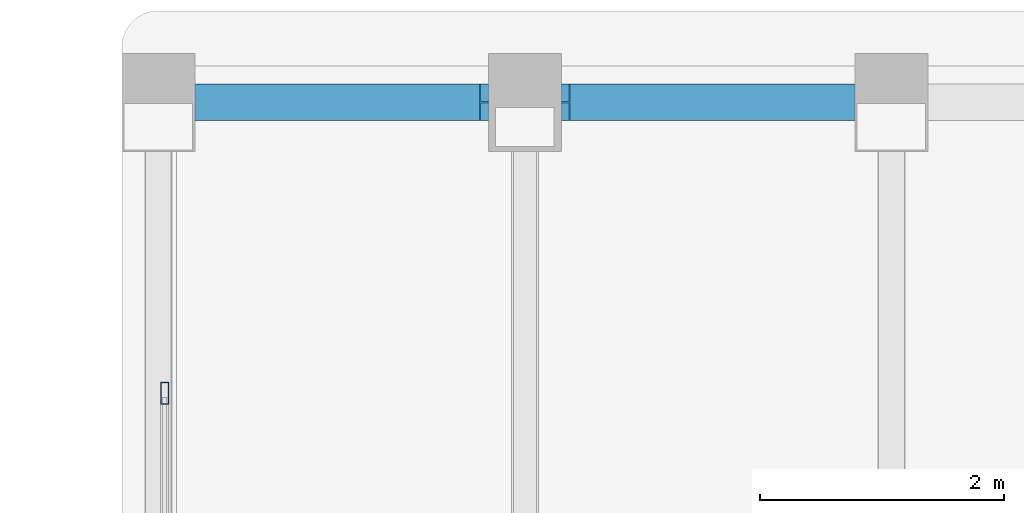
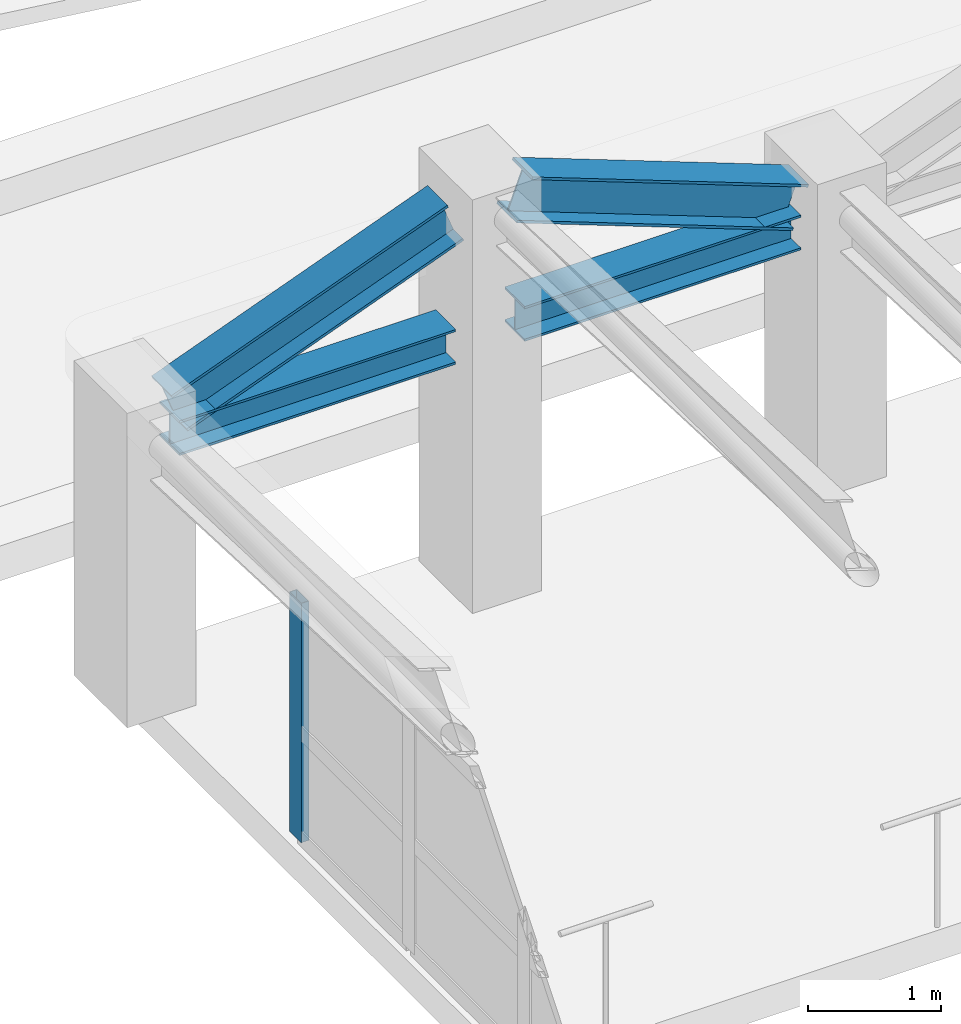
# One storey, part 21 of 128: 4 beams, 1 member, 1 element without a shape of its own.
"""IFC4 building model written with IfcOpenShell, lengths in metres."""

from ifc_helpers import new_model, si_unit, direction, frame, origin, origin_2d, place, context, subcontext, project, spatial, hollow_rectangle, i_section, extrude, material, layer, layer_set, material_profile, profile_set, type_object, element, aggregate, save


model = new_model("IFC4")

# Units and contexts
model_context = context("Model", 3, precision=1e-05, world=origin(), true_north=direction((0.0, 1.0)))
body_context = subcontext(model_context, "Body", "Model", "MODEL_VIEW")
ifc_project = project(units=[si_unit("LENGTHUNIT", "METRE"), si_unit("AREAUNIT", "SQUARE_METRE"), si_unit("VOLUMEUNIT", "CUBIC_METRE"), si_unit("PLANEANGLEUNIT", "RADIAN"), si_unit("MASSUNIT", "GRAM", prefix="KILO")], contexts=[model_context])

# Site, building, storey
site_placement = place(None, origin())
site = spatial("IfcSite", under=ifc_project, at=site_placement, CompositionType="ELEMENT")
building_placement = place(site_placement, origin())
building = spatial("IfcBuilding", under=site, at=building_placement, Name="Keldmere Railside Commons", CompositionType="ELEMENT")
storey_placement = place(building_placement, frame((0.0, 0.0, 4.159912109375)))
storey = spatial("IfcBuildingStorey", under=building, at=storey_placement, Name="L01", CompositionType="ELEMENT", Elevation=4.159912109375)

# Curtain wall, member
ifc_material_1 = material(Name="Thermally Broken Aluminium", Category="aluminium")
ifc_layer = layer(ifc_material_1, 0.159912109375, Name="Community Hall Side Clerestory CW 5200x2200")
ifc_layer_set = layer_set([ifc_layer], Name="Thermally Broken Aluminium")
curtain_wall_type = type_object("IfcCurtainWallType", Name="Community Hall Side Clerestory CW 5200x2200", PredefinedType="NOTDEFINED", material=ifc_layer_set)
curtain_wall_placement = place(storey_placement, origin())
curtain_wall = element("IfcCurtainWall", 1, at=curtain_wall_placement, inside=storey, type_object=curtain_wall_type, Name="CW-06 CW-L01-209", PredefinedType="NOTDEFINED")
ifc_material_profile_1 = material_profile(ifc_material_1, hollow_rectangle(XDim=0.06494140625, YDim=0.179931640625, WallThickness=0.00390625, at=origin_2d()), Name="ALU-MULL-65x180")
ifc_profile_set_1 = profile_set([ifc_material_profile_1], Name="Thermally Broken Aluminium")
member_type = type_object("IfcMemberType", Name="Civic Tall Curtain Wall Mullion 65x180", PredefinedType="MULLION", material=ifc_profile_set_1)
member_placement = place(storey_placement, frame((64.050048828125, 44.367431640625, 0.090087890625), z_axis=(0.0, 0.0, 1.0), x_axis=(-1.0, 0.0, 0.0)))
member = element("IfcMember", 2, at=member_placement, type_object=member_type, Name="CW-06 mullion 4", PredefinedType="MULLION", context=body_context, shape_type="SweptSolid", body=[
    extrude(hollow_rectangle(XDim=0.06494140625, YDim=0.179931640625, WallThickness=0.00390625, at=origin_2d()), origin(), (0.0, 0.0, 1.0), 2.199951171875),
])
aggregate(curtain_wall, [member])

# Beams
ifc_material_2 = material(Name="Steel F-36 (S355)", Category="steel")
ifc_material_profile_2 = material_profile(ifc_material_2, i_section(OverallWidth=0.300048828125, OverallDepth=0.320068359375, WebThickness=0.011474609375, FlangeThickness=0.0205078125, at=origin_2d()), Name="HEB-320")
ifc_profile_set_2 = profile_set([ifc_material_profile_2], Name="Steel F-36 (S355)")
beam_type_1 = type_object("IfcBeamType", Name="Folded-Plate Eave Edge Beam HEB320", PredefinedType="BEAM", material=ifc_profile_set_2)
for number, where, z_axis, x_axis, name in (
    (3, (64.300048828125, 46.75, 2.300048828125), (1.0, 0.0, 0.0), (0.0, 1.0, 0.0), "FPE-1 BM-L01-2573"),
    (4, (67.300048828125, 46.75, 2.300048828125), (1.0, 0.0, 0.0), (0.0, 1.0, 0.0), "FPE-1 BM-L01-2574"),
):
    element("IfcBeam", number, at=place(storey_placement, frame(where, z_axis=z_axis, x_axis=x_axis)), inside=storey, type_object=beam_type_1, Name=name, PredefinedType="BEAM", context=body_context, shape_type="SweptSolid", body=[
        extrude(i_section(OverallWidth=0.300048828125, OverallDepth=0.320068359375, WebThickness=0.011474609375, FlangeThickness=0.0205078125, at=origin_2d()), origin(), (0.0, 0.0, 1.0), 2.39990234375),
    ])
ifc_material_profile_3 = material_profile(ifc_material_2, i_section(OverallWidth=0.300048828125, OverallDepth=0.39990234375, WebThickness=0.013427734375, FlangeThickness=0.02392578125, at=origin_2d()), Name="HEB-400")
ifc_profile_set_3 = profile_set([ifc_material_profile_3], Name="Steel F-36 (S355)")
beam_type_2 = type_object("IfcBeamType", Name="Folded-Plate End Diaphragm Girder HEB400", PredefinedType="BEAM", material=ifc_profile_set_3)
for number, where, z_axis, x_axis, name in (
    (5, (64.300048828125, 46.75, 2.530029296875), (0.935017102345, 0.0, 0.354602620299), (0.0, 1.0, 0.0), "FPD-1 BM-L01-2579"),
    (6, (67.300048828125, 46.75, 3.440185546875), (0.935017102345, 0.0, -0.354602620299), (0.0, 1.0, 0.0), "FPD-1 BM-L01-2580"),
):
    element("IfcBeam", number, at=place(storey_placement, frame(where, z_axis=z_axis, x_axis=x_axis)), inside=storey, type_object=beam_type_2, Name=name, PredefinedType="BEAM", context=body_context, shape_type="SweptSolid", body=[
        extrude(i_section(OverallWidth=0.300048828125, OverallDepth=0.39990234375, WebThickness=0.013427734375, FlangeThickness=0.02392578125, at=origin_2d()), origin(), (0.0, 0.0, 1.0), 2.566650390625),
    ])

save(model, "model.ifc")
